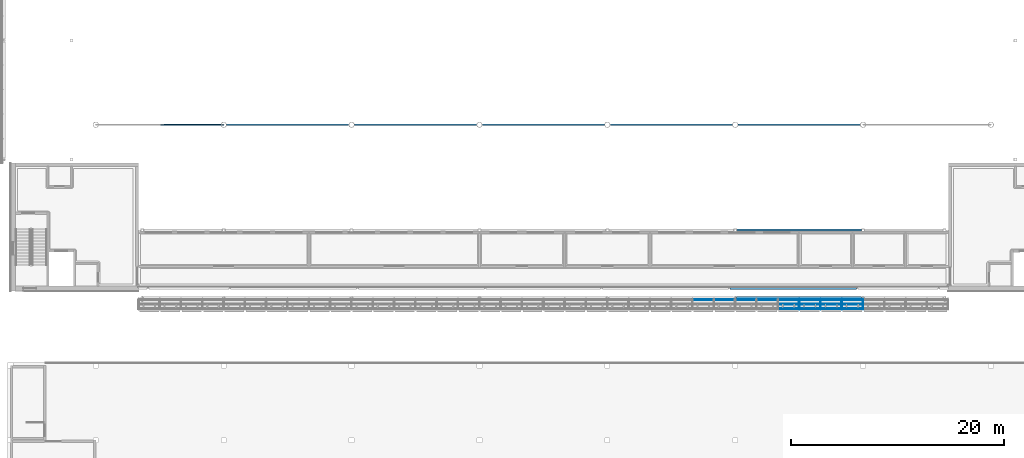
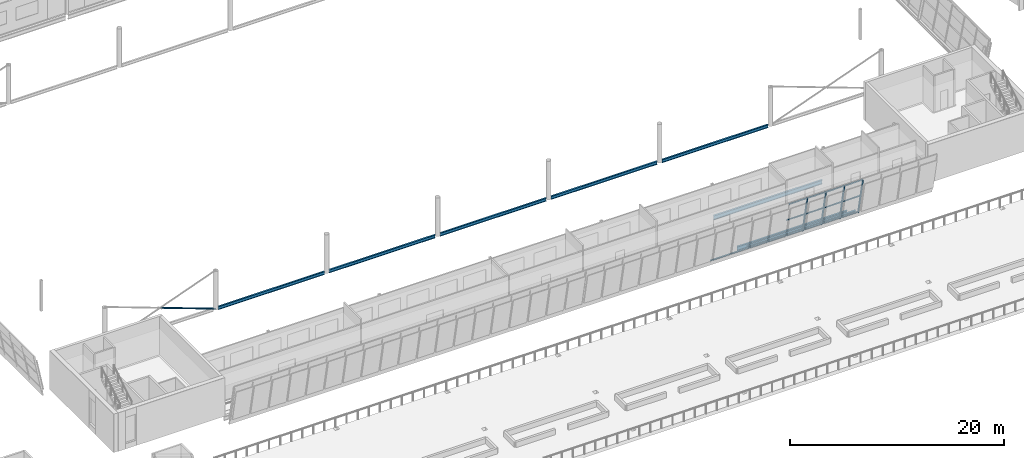
# One storey, part 20 of 95: 21 members, 8 beams, 1 element without a shape of its own.
"""IFC4 building model written with IfcOpenShell, lengths in metres."""

import ifcopenshell
import ifcopenshell.guid

model = None  # the IFC model being written
_history = None  # IfcOwnerHistory: only IFC2X3 demands one
_inside = {}  # id of a spatial element -> (the spatial element, [elements in it])
_under = {}  # id of a project, library or spatial element -> (it, [spatial elements below it])
_declared = {}  # id of a project -> (the project, [libraries it declares])
_typed = {}  # id of a type object -> (the type object, [elements of that type])
_made_of = {}  # id of a material, layer set ... -> (it, [elements and type objects made of it])


def new_model(schema):
    """Start an empty IFC model of exactly this schema.

    Asked for "IFC4X3", IfcOpenShell would pick the latest addendum, in which some entities
    have other attributes; the version numbers below select the first issue.
    IFC2X3 requires an IfcOwnerHistory on every rooted entity: one is made here for all.
    """
    global model, _history
    if schema == "IFC4X3":
        model = ifcopenshell.file(schema_version=(4, 3, 0, 0))
    else:
        model = ifcopenshell.file(schema=schema)
    _inside.clear()
    _under.clear()
    _declared.clear()
    _typed.clear()
    _made_of.clear()
    _history = None
    if model.schema == "IFC2X3":
        org = make("IfcOrganization", Name="unknown")
        user = make(
            "IfcPersonAndOrganization",
            ThePerson=make("IfcPerson", FamilyName="unknown"),
            TheOrganization=org,
        )
        app = make(
            "IfcApplication",
            ApplicationDeveloper=org,
            Version="unknown",
            ApplicationFullName="unknown",
            ApplicationIdentifier="unknown",
        )
        _history = make(
            "IfcOwnerHistory",
            OwningUser=user,
            OwningApplication=app,
            ChangeAction="ADDED",
            CreationDate=0,
        )
    return model


def make(cls, **values):
    """One entity of the class cls with the attributes given. An attribute that is None is left unset."""
    return model.create_entity(
        cls, **{name: value for name, value in values.items() if value is not None}
    )


def rooted(cls, **values):
    """An entity with a GlobalId (a new one), such as an element, a storey or a relation."""
    return make(cls, GlobalId=ifcopenshell.guid.new(), OwnerHistory=_history, **values)


def si_unit(unit_type, name, prefix=None):
    """IfcSIUnit, for example si_unit("LENGTHUNIT", "METRE", prefix="MILLI")."""
    return make("IfcSIUnit", UnitType=unit_type, Prefix=prefix, Name=name)


def assignment(units):
    """IfcUnitAssignment: the units of a project."""
    return None if units is None else make("IfcUnitAssignment", Units=units)


def point(xyz):
    """IfcCartesianPoint."""
    return None if xyz is None else make("IfcCartesianPoint", Coordinates=xyz)


def direction(xyz):
    """IfcDirection."""
    return None if xyz is None else make("IfcDirection", DirectionRatios=xyz)


def frame(location, z_axis=None, x_axis=None):
    """IfcAxis2Placement3D, a coordinate frame: its origin and axes. An axis left out is left unset."""
    return make(
        "IfcAxis2Placement3D",
        Location=point(location),
        Axis=direction(z_axis),
        RefDirection=direction(x_axis),
    )


def frame_2d(location, x_axis=None):
    """IfcAxis2Placement2D, a coordinate frame in the plane: its origin and x axis."""
    return make(
        "IfcAxis2Placement2D", Location=point(location), RefDirection=direction(x_axis)
    )


def origin():
    """The frame at (0, 0, 0) with its axes left unset."""
    return frame((0.0, 0.0, 0.0))


def origin_2d():
    """The frame at (0, 0) in the plane with its x axis left unset."""
    return frame_2d((0.0, 0.0))


def place(relative_to, where):
    """IfcLocalPlacement: puts the frame where relative to a parent placement (None: the world)."""
    return make(
        "IfcLocalPlacement", PlacementRelTo=relative_to, RelativePlacement=where
    )


def context(
    kind, dimensions, precision=None, world=None, true_north=None, identifier=None
):
    """IfcGeometricRepresentationContext, for example the 3D "Model" context."""
    return make(
        "IfcGeometricRepresentationContext",
        ContextIdentifier=identifier,
        ContextType=kind,
        CoordinateSpaceDimension=dimensions,
        Precision=precision,
        WorldCoordinateSystem=world,
        TrueNorth=true_north,
    )


def subcontext(parent, identifier, kind, view, scale=None):
    """IfcGeometricRepresentationSubContext, for example "Body" below "Model"."""
    return make(
        "IfcGeometricRepresentationSubContext",
        ContextIdentifier=identifier,
        ContextType=kind,
        ParentContext=parent,
        TargetScale=scale,
        TargetView=view,
    )


def project(units=None, contexts=None):
    """IfcProject with its units and contexts."""
    return rooted(
        "IfcProject",
        Name="project",
        RepresentationContexts=contexts,
        UnitsInContext=assignment(units),
    )


def spatial(cls, under=None, at=None, **own):
    """A site, building, storey or space (cls), placed at a placement, below another one or the project."""
    s = rooted(cls, ObjectPlacement=at, **own)
    if under is not None:
        _under.setdefault(under.id(), (under, []))[1].append(s)
    return s


def profile(cls, at=None, kind="AREA", **sizes):
    """A parametric profile (cls). Its sizes go by their IFC names, for example OverallWidth=200.0."""
    return make(cls, ProfileType=kind, Position=at, **sizes)


def rectangle(**sizes):
    """IfcRectangleProfileDef."""
    return profile("IfcRectangleProfileDef", **sizes)


def hollow_circle(**sizes):
    """IfcCircleHollowProfileDef."""
    return profile("IfcCircleHollowProfileDef", **sizes)


def i_section(**sizes):
    """IfcIShapeProfileDef."""
    return profile("IfcIShapeProfileDef", **sizes)


def extrude(swept, where, along, depth):
    """IfcExtrudedAreaSolid: the profile swept, set in the frame where, extruded along a direction by depth."""
    return make(
        "IfcExtrudedAreaSolid",
        SweptArea=swept,
        Position=where,
        ExtrudedDirection=direction(along),
        Depth=depth,
    )


def shape(context_of_items, identifier, shape_type, items):
    """IfcShapeRepresentation: the items that make up one representation, for example the "Body"."""
    return make(
        "IfcShapeRepresentation",
        ContextOfItems=context_of_items,
        RepresentationIdentifier=identifier,
        RepresentationType=shape_type,
        Items=items,
    )


def material(Name=None, Category=None):
    """IfcMaterial."""
    return make("IfcMaterial", Name=Name, Category=Category)


def layer(
    of_material, thickness, ventilated=None, Name=None, Category=None, Priority=None
):
    """IfcMaterialLayer: one layer of a wall or slab, of a material (None: an air gap)."""
    return make(
        "IfcMaterialLayer",
        Material=of_material,
        LayerThickness=thickness,
        IsVentilated=ventilated,
        Name=Name,
        Category=Category,
        Priority=Priority,
    )


def layer_set(layers, Name=None):
    """IfcMaterialLayerSet."""
    return make("IfcMaterialLayerSet", MaterialLayers=layers, LayerSetName=Name)


def material_profile(
    of_material, cross_section, Name=None, Category=None, Priority=None
):
    """IfcMaterialProfile: a cross section and its material."""
    return make(
        "IfcMaterialProfile",
        Name=Name,
        Material=of_material,
        Profile=cross_section,
        Priority=Priority,
        Category=Category,
    )


def profile_set(profiles, Name=None, composite=None):
    """IfcMaterialProfileSet."""
    return make(
        "IfcMaterialProfileSet",
        Name=Name,
        MaterialProfiles=profiles,
        CompositeProfile=composite,
    )


def made_of(thing, what):
    """Note that an element or type object is made of a material, layer set ...; save() writes the relation."""
    if what is not None:
        _made_of.setdefault(what.id(), (what, []))[1].append(thing)
    return thing


def type_object(cls, material=None, **own):
    """A type object (cls), such as IfcWallType, which elements share."""
    return made_of(rooted(cls, **own), material)


def element(
    cls,
    number,
    at=None,
    inside=None,
    cuts=None,
    type_object=None,
    material=None,
    context=None,
    identifier="Body",
    shape_type=None,
    held_by="IfcProductDefinitionShape",
    body=None,
    shapes=None,
    **own,
):
    """One element of the class cls, such as IfcWall. Its Tag is "e" and its number.

    at: its placement. inside: the storey or other place that contains it. cuts: it is an
    opening in that element (IfcRelVoidsElement). A single representation is given by context,
    identifier, shape_type and body (its items); several are given by shapes. held_by: the class
    of the entity that holds the representations. save() writes the other relations.
    """
    e = rooted(cls, Tag="e%d" % number, ObjectPlacement=at, **own)
    if body is not None:
        shapes = [shape(context, identifier, shape_type, body)]
    if shapes is not None:
        e.Representation = make(held_by, Representations=shapes)
    if inside is not None:
        _inside.setdefault(inside.id(), (inside, []))[1].append(e)
    if cuts is not None:
        rooted(
            "IfcRelVoidsElement", RelatingBuildingElement=cuts, RelatedOpeningElement=e
        )
    if type_object is not None:
        _typed.setdefault(type_object.id(), (type_object, []))[1].append(e)
    return made_of(e, material)


def aggregate(whole, parts):
    """IfcRelAggregates: a whole, such as a stair, and the parts it consists of."""
    return rooted("IfcRelAggregates", RelatingObject=whole, RelatedObjects=parts)


def save(model, path):
    """Write the relations noted so far, then the file.

    IfcRelAggregates (storeys below a building ...), IfcRelContainedInSpatialStructure (elements
    in a storey), IfcRelDefinesByType, IfcRelAssociatesMaterial and IfcRelDeclares: one each for
    every whole, place, type object, material and project.
    """
    for whole, parts in _under.values():
        aggregate(whole, parts)
    for where, things in _inside.values():
        rooted(
            "IfcRelContainedInSpatialStructure",
            RelatedElements=things,
            RelatingStructure=where,
        )
    for kind, things in _typed.values():
        rooted("IfcRelDefinesByType", RelatedObjects=things, RelatingType=kind)
    for what, things in _made_of.values():
        rooted("IfcRelAssociatesMaterial", RelatedObjects=things, RelatingMaterial=what)
    for by, libraries in _declared.values():
        rooted("IfcRelDeclares", RelatingContext=by, RelatedDefinitions=libraries)
    model.write(path)


model = new_model("IFC4")

# Units and contexts
model_context = context("Model", 3, precision=1e-05, world=origin(), true_north=direction((0.0, 1.0)))
body_context = subcontext(model_context, "Body", "Model", "MODEL_VIEW")
ifc_project = project(units=[si_unit("LENGTHUNIT", "METRE"), si_unit("AREAUNIT", "SQUARE_METRE"), si_unit("VOLUMEUNIT", "CUBIC_METRE"), si_unit("PLANEANGLEUNIT", "RADIAN"), si_unit("MASSUNIT", "GRAM", prefix="KILO")], contexts=[model_context])

# Site, building, storey
site_placement = place(None, origin())
site = spatial("IfcSite", under=ifc_project, at=site_placement, CompositionType="ELEMENT")
building_placement = place(site_placement, origin())
building = spatial("IfcBuilding", under=site, at=building_placement, Name="Windward Yard Aquatics Centre", CompositionType="ELEMENT")
storey_placement = place(building_placement, frame((0.0, 0.0, 9.39990234375)))
storey = spatial("IfcBuildingStorey", under=building, at=storey_placement, Name="L02", CompositionType="ELEMENT", Elevation=9.39990234375)

# Curtain wall, members
ifc_material_1 = material(Name="Glass and aluminium curtain wall", Category="aluminium")
ifc_layer = layer(ifc_material_1, 0.179931640625)
ifc_layer_set = layer_set([ifc_layer], Name="H curtain wall tier 1 double glazed 8+16+8")
curtain_wall_type = type_object("IfcCurtainWallType", Name="H curtain wall tier 1 double glazed 8+16+8", PredefinedType="NOTDEFINED", material=ifc_layer_set)
curtain_wall_placement = place(storey_placement, origin())
curtain_wall = element("IfcCurtainWall", 1, at=curtain_wall_placement, inside=storey, type_object=curtain_wall_type, Name="Tier 1 glazing S L02", PredefinedType="NOTDEFINED")
ifc_material_2 = material(Name="Aluminium 6063-T6 anodised", Category="aluminium")
ifc_material_profile_1 = material_profile(ifc_material_2, rectangle(XDim=0.06494140625, YDim=0.179931640625, at=origin_2d()), Name="H CW mullion 65x180")
ifc_profile_set_1 = profile_set([ifc_material_profile_1], Name="Aluminium 6063-T6 anodised")
member_type_1 = type_object("IfcMemberType", Name="H CW mullion 65x180", PredefinedType="MULLION", material=ifc_profile_set_1)
member_1_placement = place(storey_placement, frame((126.001953125, 25.196533203125, 0.0), z_axis=(0.0, -0.199322032497, 0.979934042352), x_axis=(1.0, 0.0, 0.0)))
member_1 = element("IfcMember", 2, at=member_1_placement, type_object=member_type_1, Name="G1SB mullion 13", PredefinedType="MULLION", context=body_context, shape_type="SweptSolid", body=[
    extrude(rectangle(XDim=0.06494140625, YDim=0.179931640625, at=origin_2d()), origin(), (0.0, 0.0, 1.0), 4.31884765625),
])
member_2_placement = place(storey_placement, frame((128.00146484375, 25.196533203125, 0.0), z_axis=(0.0, -0.199322032497, 0.979934042352), x_axis=(1.0, 0.0, 0.0)))
member_2 = element("IfcMember", 3, at=member_2_placement, type_object=member_type_1, Name="G1SB mullion 14", PredefinedType="MULLION", context=body_context, shape_type="SweptSolid", body=[
    extrude(rectangle(XDim=0.06494140625, YDim=0.179931640625, at=origin_2d()), origin(), (0.0, 0.0, 1.0), 4.31884765625),
])
member_3_placement = place(storey_placement, frame((130.001220703125, 25.196533203125, 0.0), z_axis=(0.0, -0.199322032497, 0.979934042352), x_axis=(1.0, 0.0, 0.0)))
member_3 = element("IfcMember", 4, at=member_3_placement, type_object=member_type_1, Name="G1SB mullion 15", PredefinedType="MULLION", context=body_context, shape_type="SweptSolid", body=[
    extrude(rectangle(XDim=0.06494140625, YDim=0.179931640625, at=origin_2d()), origin(), (0.0, 0.0, 1.0), 4.31884765625),
])
member_4_placement = place(storey_placement, frame((132.0009765625, 25.196533203125, 0.0), z_axis=(0.0, -0.199322032497, 0.979934042352), x_axis=(1.0, 0.0, 0.0)))
member_4 = element("IfcMember", 5, at=member_4_placement, type_object=member_type_1, Name="G1SB mullion 16", PredefinedType="MULLION", context=body_context, shape_type="SweptSolid", body=[
    extrude(rectangle(XDim=0.06494140625, YDim=0.179931640625, at=origin_2d()), origin(), (0.0, 0.0, 1.0), 4.31884765625),
])
ifc_material_profile_2 = material_profile(ifc_material_2, rectangle(XDim=0.06494140625, YDim=0.10009765625, at=origin_2d()), Name="H CW transom 65x100")
ifc_profile_set_2 = profile_set([ifc_material_profile_2], Name="Aluminium 6063-T6 anodised")
member_type_2 = type_object("IfcMemberType", Name="H CW transom 65x100", PredefinedType="USERDEFINED", material=ifc_profile_set_2)
member_5_placement = place(storey_placement, frame((116.03564453125, 25.186767578125, 0.049072265625), z_axis=(1.0, 0.0, 0.0), x_axis=(0.0, 0.9799247046, 0.19936793452)))
member_5 = element("IfcMember", 6, at=member_5_placement, type_object=member_type_2, Name="G1SB transom 8.1", ObjectType="TRANSOM", PredefinedType="USERDEFINED", context=body_context, shape_type="SweptSolid", body=[
    extrude(rectangle(XDim=0.06494140625, YDim=0.10009765625, at=origin_2d()), origin(), (0.0, 0.0, 1.0), 1.934814453125),
])
member_6_placement = place(storey_placement, frame((118.035400390625, 25.186767578125, 0.049072265625), z_axis=(1.0, 0.0, 0.0), x_axis=(0.0, 0.9799247046, 0.19936793452)))
member_6 = element("IfcMember", 7, at=member_6_placement, type_object=member_type_2, Name="G1SB transom 9.1", ObjectType="TRANSOM", PredefinedType="USERDEFINED", context=body_context, shape_type="SweptSolid", body=[
    extrude(rectangle(XDim=0.06494140625, YDim=0.10009765625, at=origin_2d()), origin(), (0.0, 0.0, 1.0), 1.934814453125),
])
member_7_placement = place(storey_placement, frame((120.03515625, 25.186767578125, 0.049072265625), z_axis=(1.0, 0.0, 0.0), x_axis=(0.0, 0.9799247046, 0.19936793452)))
member_7 = element("IfcMember", 8, at=member_7_placement, type_object=member_type_2, Name="G1SB transom 10.1", ObjectType="TRANSOM", PredefinedType="USERDEFINED", context=body_context, shape_type="SweptSolid", body=[
    extrude(rectangle(XDim=0.06494140625, YDim=0.10009765625, at=origin_2d()), origin(), (0.0, 0.0, 1.0), 1.934814453125),
])
member_8_placement = place(storey_placement, frame((122.034912109375, 25.186767578125, 0.049072265625), z_axis=(1.0, 0.0, 0.0), x_axis=(0.0, 0.9799247046, 0.19936793452)))
member_8 = element("IfcMember", 9, at=member_8_placement, type_object=member_type_2, Name="G1SB transom 11.1", ObjectType="TRANSOM", PredefinedType="USERDEFINED", context=body_context, shape_type="SweptSolid", body=[
    extrude(rectangle(XDim=0.06494140625, YDim=0.10009765625, at=origin_2d()), origin(), (0.0, 0.0, 1.0), 1.934814453125),
])
member_9_placement = place(storey_placement, frame((124.03466796875, 25.186767578125, 0.049072265625), z_axis=(1.0, 0.0, 0.0), x_axis=(0.0, 0.9799247046, 0.19936793452)))
member_9 = element("IfcMember", 10, at=member_9_placement, type_object=member_type_2, Name="G1SB transom 12.1", ObjectType="TRANSOM", PredefinedType="USERDEFINED", context=body_context, shape_type="SweptSolid", body=[
    extrude(rectangle(XDim=0.06494140625, YDim=0.10009765625, at=origin_2d()), origin(), (0.0, 0.0, 1.0), 1.9345703125),
])
member_10_placement = place(storey_placement, frame((124.03466796875, 24.764404296875, 2.125), z_axis=(1.0, 0.0, 0.0), x_axis=(0.0, 0.9799247046, 0.19936793452)))
member_10 = element("IfcMember", 11, at=member_10_placement, type_object=member_type_2, Name="G1SB transom 12.2", ObjectType="TRANSOM", PredefinedType="USERDEFINED", context=body_context, shape_type="SweptSolid", body=[
    extrude(rectangle(XDim=0.06494140625, YDim=0.10009765625, at=origin_2d()), origin(), (0.0, 0.0, 1.0), 1.9345703125),
])
member_11_placement = place(storey_placement, frame((124.03466796875, 24.34326171875, 4.194580078125), z_axis=(1.0, 0.0, 0.0), x_axis=(0.0, 0.9799247046, 0.19936793452)))
member_11 = element("IfcMember", 12, at=member_11_placement, type_object=member_type_2, Name="G1SB transom 12.3", ObjectType="TRANSOM", PredefinedType="USERDEFINED", context=body_context, shape_type="SweptSolid", body=[
    extrude(rectangle(XDim=0.06494140625, YDim=0.10009765625, at=origin_2d()), origin(), (0.0, 0.0, 1.0), 1.9345703125),
])
member_12_placement = place(storey_placement, frame((126.034423828125, 25.186767578125, 0.049072265625), z_axis=(1.0, 0.0, 0.0), x_axis=(0.0, 0.9799247046, 0.19936793452)))
member_12 = element("IfcMember", 13, at=member_12_placement, type_object=member_type_2, Name="G1SB transom 13.1", ObjectType="TRANSOM", PredefinedType="USERDEFINED", context=body_context, shape_type="SweptSolid", body=[
    extrude(rectangle(XDim=0.06494140625, YDim=0.10009765625, at=origin_2d()), origin(), (0.0, 0.0, 1.0), 1.9345703125),
])
member_13_placement = place(storey_placement, frame((126.034423828125, 24.764404296875, 2.125), z_axis=(1.0, 0.0, 0.0), x_axis=(0.0, 0.9799247046, 0.19936793452)))
member_13 = element("IfcMember", 14, at=member_13_placement, type_object=member_type_2, Name="G1SB transom 13.2", ObjectType="TRANSOM", PredefinedType="USERDEFINED", context=body_context, shape_type="SweptSolid", body=[
    extrude(rectangle(XDim=0.06494140625, YDim=0.10009765625, at=origin_2d()), origin(), (0.0, 0.0, 1.0), 1.9345703125),
])
member_14_placement = place(storey_placement, frame((126.034423828125, 24.34326171875, 4.194580078125), z_axis=(1.0, 0.0, 0.0), x_axis=(0.0, 0.9799247046, 0.19936793452)))
member_14 = element("IfcMember", 15, at=member_14_placement, type_object=member_type_2, Name="G1SB transom 13.3", ObjectType="TRANSOM", PredefinedType="USERDEFINED", context=body_context, shape_type="SweptSolid", body=[
    extrude(rectangle(XDim=0.06494140625, YDim=0.10009765625, at=origin_2d()), origin(), (0.0, 0.0, 1.0), 1.9345703125),
])
member_15_placement = place(storey_placement, frame((128.0341796875, 25.186767578125, 0.049072265625), z_axis=(1.0, 0.0, 0.0), x_axis=(0.0, 0.9799247046, 0.19936793452)))
member_15 = element("IfcMember", 16, at=member_15_placement, type_object=member_type_2, Name="G1SB transom 14.1", ObjectType="TRANSOM", PredefinedType="USERDEFINED", context=body_context, shape_type="SweptSolid", body=[
    extrude(rectangle(XDim=0.06494140625, YDim=0.10009765625, at=origin_2d()), origin(), (0.0, 0.0, 1.0), 1.9345703125),
])
member_16_placement = place(storey_placement, frame((128.0341796875, 24.764404296875, 2.125), z_axis=(1.0, 0.0, 0.0), x_axis=(0.0, 0.9799247046, 0.19936793452)))
member_16 = element("IfcMember", 17, at=member_16_placement, type_object=member_type_2, Name="G1SB transom 14.2", ObjectType="TRANSOM", PredefinedType="USERDEFINED", context=body_context, shape_type="SweptSolid", body=[
    extrude(rectangle(XDim=0.06494140625, YDim=0.10009765625, at=origin_2d()), origin(), (0.0, 0.0, 1.0), 1.9345703125),
])
member_17_placement = place(storey_placement, frame((128.0341796875, 24.34326171875, 4.194580078125), z_axis=(1.0, 0.0, 0.0), x_axis=(0.0, 0.9799247046, 0.19936793452)))
member_17 = element("IfcMember", 18, at=member_17_placement, type_object=member_type_2, Name="G1SB transom 14.3", ObjectType="TRANSOM", PredefinedType="USERDEFINED", context=body_context, shape_type="SweptSolid", body=[
    extrude(rectangle(XDim=0.06494140625, YDim=0.10009765625, at=origin_2d()), origin(), (0.0, 0.0, 1.0), 1.9345703125),
])
member_18_placement = place(storey_placement, frame((130.033935546875, 25.186767578125, 0.049072265625), z_axis=(1.0, 0.0, 0.0), x_axis=(0.0, 0.9799247046, 0.19936793452)))
member_18 = element("IfcMember", 19, at=member_18_placement, type_object=member_type_2, Name="G1SB transom 15.1", ObjectType="TRANSOM", PredefinedType="USERDEFINED", context=body_context, shape_type="SweptSolid", body=[
    extrude(rectangle(XDim=0.06494140625, YDim=0.10009765625, at=origin_2d()), origin(), (0.0, 0.0, 1.0), 1.9345703125),
])
member_19_placement = place(storey_placement, frame((130.033935546875, 24.764404296875, 2.125), z_axis=(1.0, 0.0, 0.0), x_axis=(0.0, 0.9799247046, 0.19936793452)))
member_19 = element("IfcMember", 20, at=member_19_placement, type_object=member_type_2, Name="G1SB transom 15.2", ObjectType="TRANSOM", PredefinedType="USERDEFINED", context=body_context, shape_type="SweptSolid", body=[
    extrude(rectangle(XDim=0.06494140625, YDim=0.10009765625, at=origin_2d()), origin(), (0.0, 0.0, 1.0), 1.9345703125),
])
member_20_placement = place(storey_placement, frame((130.033935546875, 24.34326171875, 4.194580078125), z_axis=(1.0, 0.0, 0.0), x_axis=(0.0, 0.9799247046, 0.19936793452)))
member_20 = element("IfcMember", 21, at=member_20_placement, type_object=member_type_2, Name="G1SB transom 15.3", ObjectType="TRANSOM", PredefinedType="USERDEFINED", context=body_context, shape_type="SweptSolid", body=[
    extrude(rectangle(XDim=0.06494140625, YDim=0.10009765625, at=origin_2d()), origin(), (0.0, 0.0, 1.0), 1.9345703125),
])
aggregate(curtain_wall, [member_1, member_2, member_3, member_4, member_5, member_6, member_7, member_8, member_9, member_10, member_11, member_12, member_13, member_14, member_15, member_16, member_17, member_18, member_19, member_20])

# Beams
ifc_material_3 = material(Name="Steel ASTM A992 Gr 50", Category="steel")
ifc_material_profile_3 = material_profile(ifc_material_3, i_section(OverallWidth=0.172119140625, OverallDepth=0.35791015625, WebThickness=0.0078125, FlangeThickness=0.01318359375, at=origin_2d()), Name="W360X57.8")
ifc_profile_set_3 = profile_set([ifc_material_profile_3], Name="Steel ASTM A992 Gr 50")
beam_type_1 = type_object("IfcBeamType", Name="H arch column tie beam W360X57.8", PredefinedType="BEAM", material=ifc_profile_set_3)
for number, where, z_axis, x_axis, name in (
    (22, (72.25390625, 41.60009765625, 0.0), (1.0, 0.0, 0.0), (0.0, 1.0, 0.0), "H.TB.S2.T2"),
    (23, (84.25390625, 41.60009765625, 0.0), (1.0, 0.0, 0.0), (0.0, 1.0, 0.0), "H.TB.S3.T2"),
    (24, (96.25390625, 41.60009765625, 0.0), (1.0, 0.0, 0.0), (0.0, 1.0, 0.0), "H.TB.S4.T2"),
    (25, (108.25390625, 41.60009765625, 0.0), (1.0, 0.0, 0.0), (0.0, 1.0, 0.0), "H.TB.S5.T2"),
    (26, (120.25390625, 41.60009765625, 0.0), (1.0, 0.0, 0.0), (0.0, 1.0, 0.0), "H.TB.S6.T2"),
):
    element("IfcBeam", number, at=place(storey_placement, frame(where, z_axis=z_axis, x_axis=x_axis)), inside=storey, type_object=beam_type_1, Name=name, PredefinedType="BEAM", context=body_context, shape_type="SweptSolid", body=[
        extrude(i_section(OverallWidth=0.172119140625, OverallDepth=0.35791015625, WebThickness=0.0078125, FlangeThickness=0.01318359375, at=origin_2d()), origin(), (0.0, 0.0, 1.0), 11.4921875),
    ])

# Member
ifc_material_4 = material(Name="Steel ASTM A500 Gr C", Category="steel")
ifc_material_profile_4 = material_profile(ifc_material_4, hollow_circle(Radius=0.084228515625, WallThickness=0.010986328125, at=origin_2d()), Name="HSS168.3X11")
ifc_profile_set_4 = profile_set([ifc_material_profile_4], Name="Steel ASTM A500 Gr C")
member_type_3 = type_object("IfcMemberType", Name="H column brace HSS168.3X11", PredefinedType="BRACE", material=ifc_profile_set_4)
member_21_placement = place(storey_placement, frame((66.103515625, 41.60009765625, 2.162109375), z_axis=(0.938872965334, 0.0, -0.344263786891), x_axis=(0.0, 1.0, 0.0)))
element("IfcMember", 27, at=member_21_placement, inside=storey, type_object=member_type_3, Name="H.VB.S1.L02.B2", PredefinedType="BRACE", context=body_context, shape_type="SweptSolid", body=[
    extrude(hollow_circle(Radius=0.084228515625, WallThickness=0.010986328125, at=origin_2d()), origin(), (0.0, 0.0, 1.0), 6.2802734375),
])

# Beams
ifc_material_profile_5 = material_profile(ifc_material_3, i_section(OverallWidth=0.19091796875, OverallDepth=0.45703125, WebThickness=0.009033203125, FlangeThickness=0.014404296875, at=origin_2d()), Name="W460X74")
ifc_profile_set_5 = profile_set([ifc_material_profile_5], Name="Steel ASTM A992 Gr 50")
beam_type_2 = type_object("IfcBeamType", Name="H gallery edge beam W460X74", PredefinedType="BEAM", material=ifc_profile_set_5)
beam_1_placement = place(storey_placement, frame((119.526123046875, 26.22509765625, -0.428466796875), z_axis=(1.0, 0.0, 0.0), x_axis=(0.0, 1.0, 0.0)))
element("IfcBeam", 28, at=beam_1_placement, inside=storey, type_object=beam_type_2, Name="H.GB.S.O7", PredefinedType="BEAM", context=body_context, shape_type="SweptSolid", body=[
    extrude(i_section(OverallWidth=0.19091796875, OverallDepth=0.45703125, WebThickness=0.009033203125, FlangeThickness=0.014404296875, at=origin_2d()), origin(), (0.0, 0.0, 1.0), 11.84765625),
])
beam_2_placement = place(storey_placement, frame((120.126953125, 31.709716796875, -0.428466796875), z_axis=(1.0, 0.0, 0.0), x_axis=(0.0, 1.0, 0.0)))
element("IfcBeam", 29, at=beam_2_placement, inside=storey, type_object=beam_type_2, Name="H.GB.S.I6", PredefinedType="BEAM", context=body_context, shape_type="SweptSolid", body=[
    extrude(i_section(OverallWidth=0.19091796875, OverallDepth=0.45703125, WebThickness=0.009033203125, FlangeThickness=0.014404296875, at=origin_2d()), origin(), (0.0, 0.0, 1.0), 11.74609375),
])
ifc_material_profile_6 = material_profile(ifc_material_3, i_section(OverallWidth=0.202880859375, OverallDepth=0.302001953125, WebThickness=0.007568359375, FlangeThickness=0.01318359375, at=origin_2d()), Name="W310X60")
ifc_profile_set_6 = profile_set([ifc_material_profile_6], Name="Steel ASTM A992 Gr 50")
beam_type_3 = type_object("IfcBeamType", Name="H tier ring beam W310X60", PredefinedType="BEAM", material=ifc_profile_set_6)
beam_3_placement = place(storey_placement, frame((120.136474609375, 25.40478515625, 0.0), z_axis=(1.0, 0.0, 0.0), x_axis=(0.0, 1.0, 0.0)))
element("IfcBeam", 30, at=beam_3_placement, inside=storey, type_object=beam_type_3, Name="H.RG.S6.1", PredefinedType="BEAM", context=body_context, shape_type="SweptSolid", body=[
    extrude(i_section(OverallWidth=0.202880859375, OverallDepth=0.302001953125, WebThickness=0.007568359375, FlangeThickness=0.01318359375, at=origin_2d()), origin(), (0.0, 0.0, 1.0), 11.72705078125),
])

save(model, "model.ifc")
